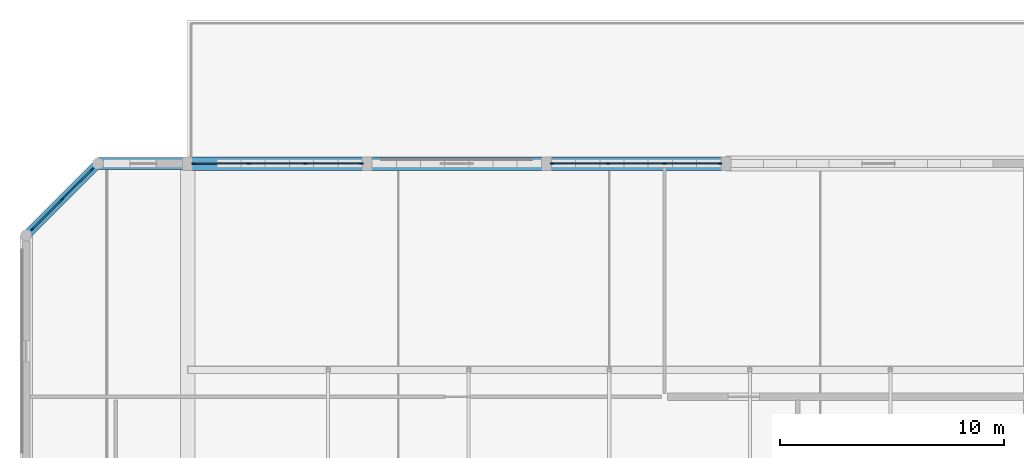
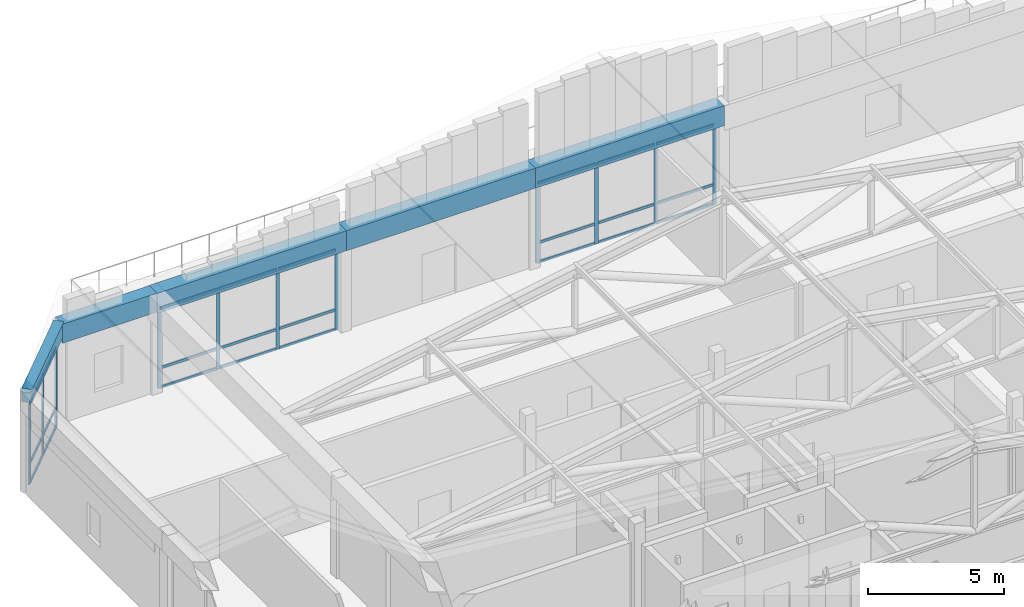
# One storey, part 16 of 24: 35 members, 5 beams, 3 elements without a shape of their own.
"""IFC4 building model written with IfcOpenShell, lengths in metres."""

from ifc_helpers import new_model, si_unit, direction, frame, origin, origin_2d, place, context, subcontext, project, spatial, rectangle, extrude, material, material_profile, profile_set, type_object, element, aggregate, save


model = new_model("IFC4")

# Units and contexts
model_context = context("Model", 3, precision=1e-05, world=origin(), true_north=direction((0.0, 1.0)))
body_context = subcontext(model_context, "Body", "Model", "MODEL_VIEW")
ifc_project = project(units=[si_unit("LENGTHUNIT", "METRE"), si_unit("AREAUNIT", "SQUARE_METRE"), si_unit("VOLUMEUNIT", "CUBIC_METRE"), si_unit("PLANEANGLEUNIT", "RADIAN"), si_unit("MASSUNIT", "GRAM", prefix="KILO")], contexts=[model_context])

# Site, building, storey
site_placement = place(None, origin())
site = spatial("IfcSite", under=ifc_project, at=site_placement, CompositionType="ELEMENT")
building_placement = place(site_placement, origin())
building = spatial("IfcBuilding", under=site, at=building_placement, Name="Vellmiral Cinema and Media Centre", CompositionType="ELEMENT")
storey_placement = place(building_placement, frame((0.0, 0.0, 66.60009765625)))
storey = spatial("IfcBuildingStorey", under=building, at=storey_placement, Name="L16", CompositionType="ELEMENT", Elevation=66.60009765625)

# Curtain wall, members
ifc_material_1 = material(Name="Thermally Broken Aluminium and Triple Glazing", Category="aluminium")
curtain_wall_type = type_object("IfcCurtainWallType", Name="CW-TOWER-HIGH", PredefinedType="USERDEFINED", material=ifc_material_1)
curtain_wall_1_placement = place(storey_placement, origin())
curtain_wall_1 = element("IfcCurtainWall", 1, at=curtain_wall_1_placement, inside=storey, type_object=curtain_wall_type, Name="Curtain Wall L16-B015", ObjectType="UNITISED CURTAIN WALL", PredefinedType="USERDEFINED")
ifc_material_2 = material(Name="Thermally Broken Anodised Aluminium", Category="aluminium")
ifc_material_profile_1 = material_profile(ifc_material_2, rectangle(XDim=0.06005859375, YDim=0.14990234375, at=origin_2d()), Name="MULL 60x150")
ifc_profile_set_1 = profile_set([ifc_material_profile_1], Name="Thermally Broken Anodised Aluminium")
member_type_1 = type_object("IfcMemberType", Name="CWM-60x150", PredefinedType="MULLION", material=ifc_profile_set_1)
member_1_placement = place(storey_placement, frame((147.7451171875, 108.800048828125, 0.0), z_axis=(0.0, 0.0, 1.0), x_axis=(0.0, -1.0, 0.0)))
member_1 = element("IfcMember", 2, at=member_1_placement, type_object=member_type_1, Name="CW-09 mullion 1", PredefinedType="MULLION", context=body_context, shape_type="SweptSolid", body=[
    extrude(rectangle(XDim=0.06005859375, YDim=0.14990234375, at=origin_2d()), origin(), (0.0, 0.0, 1.0), 3.58984375),
])
member_2_placement = place(storey_placement, frame((145.25830078125, 108.800048828125, 0.0), z_axis=(0.0, 0.0, 1.0), x_axis=(0.0, -1.0, 0.0)))
member_2 = element("IfcMember", 3, at=member_2_placement, type_object=member_type_1, Name="CW-09 mullion 2", PredefinedType="MULLION", context=body_context, shape_type="SweptSolid", body=[
    extrude(rectangle(XDim=0.06005859375, YDim=0.14990234375, at=origin_2d()), origin(), (0.0, 0.0, 1.0), 3.58984375),
])
member_3_placement = place(storey_placement, frame((142.74169921875, 108.800048828125, 0.0), z_axis=(0.0, 0.0, 1.0), x_axis=(0.0, -1.0, 0.0)))
member_3 = element("IfcMember", 4, at=member_3_placement, type_object=member_type_1, Name="CW-09 mullion 3", PredefinedType="MULLION", context=body_context, shape_type="SweptSolid", body=[
    extrude(rectangle(XDim=0.06005859375, YDim=0.14990234375, at=origin_2d()), origin(), (0.0, 0.0, 1.0), 3.58984375),
])
member_4_placement = place(storey_placement, frame((140.2548828125, 108.800048828125, 0.0), z_axis=(0.0, 0.0, 1.0), x_axis=(0.0, -1.0, 0.0)))
member_4 = element("IfcMember", 5, at=member_4_placement, type_object=member_type_1, Name="CW-09 mullion 4", PredefinedType="MULLION", context=body_context, shape_type="SweptSolid", body=[
    extrude(rectangle(XDim=0.06005859375, YDim=0.14990234375, at=origin_2d()), origin(), (0.0, 0.0, 1.0), 3.58984375),
])

curtain_wall_2_placement = place(storey_placement, origin())
curtain_wall_2 = element("IfcCurtainWall", 6, at=curtain_wall_2_placement, inside=storey, type_object=curtain_wall_type, Name="Curtain Wall L16-B017", ObjectType="UNITISED CURTAIN WALL", PredefinedType="USERDEFINED")
member_5_placement = place(storey_placement, frame((131.7451171875, 108.800048828125, 0.0), z_axis=(0.0, 0.0, 1.0), x_axis=(0.0, -1.0, 0.0)))
member_5 = element("IfcMember", 7, at=member_5_placement, type_object=member_type_1, Name="CW-09 mullion 1", PredefinedType="MULLION", context=body_context, shape_type="SweptSolid", body=[
    extrude(rectangle(XDim=0.06005859375, YDim=0.14990234375, at=origin_2d()), origin(), (0.0, 0.0, 1.0), 3.58984375),
])
member_6_placement = place(storey_placement, frame((129.25830078125, 108.800048828125, 0.0), z_axis=(0.0, 0.0, 1.0), x_axis=(0.0, -1.0, 0.0)))
member_6 = element("IfcMember", 8, at=member_6_placement, type_object=member_type_1, Name="CW-09 mullion 2", PredefinedType="MULLION", context=body_context, shape_type="SweptSolid", body=[
    extrude(rectangle(XDim=0.06005859375, YDim=0.14990234375, at=origin_2d()), origin(), (0.0, 0.0, 1.0), 3.58984375),
])
member_7_placement = place(storey_placement, frame((126.74169921875, 108.800048828125, 0.0), z_axis=(0.0, 0.0, 1.0), x_axis=(0.0, -1.0, 0.0)))
member_7 = element("IfcMember", 9, at=member_7_placement, type_object=member_type_1, Name="CW-09 mullion 3", PredefinedType="MULLION", context=body_context, shape_type="SweptSolid", body=[
    extrude(rectangle(XDim=0.06005859375, YDim=0.14990234375, at=origin_2d()), origin(), (0.0, 0.0, 1.0), 3.58984375),
])
member_8_placement = place(storey_placement, frame((124.2548828125, 108.800048828125, 0.0), z_axis=(0.0, 0.0, 1.0), x_axis=(0.0, -1.0, 0.0)))
member_8 = element("IfcMember", 10, at=member_8_placement, type_object=member_type_1, Name="CW-09 mullion 4", PredefinedType="MULLION", context=body_context, shape_type="SweptSolid", body=[
    extrude(rectangle(XDim=0.06005859375, YDim=0.14990234375, at=origin_2d()), origin(), (0.0, 0.0, 1.0), 3.58984375),
])

curtain_wall_3_placement = place(storey_placement, origin())
curtain_wall_3 = element("IfcCurtainWall", 11, at=curtain_wall_3_placement, inside=storey, type_object=curtain_wall_type, Name="Curtain Wall L16-B019", ObjectType="UNITISED CURTAIN WALL", PredefinedType="USERDEFINED")
member_9_placement = place(storey_placement, frame((119.728759765625, 108.52880859375, 0.0), z_axis=(0.0, 0.0, 1.0), x_axis=(0.707106781187, -0.707106781187, 0.0)))
member_9 = element("IfcMember", 12, at=member_9_placement, type_object=member_type_1, Name="CW-09 mullion 1", PredefinedType="MULLION", context=body_context, shape_type="SweptSolid", body=[
    extrude(rectangle(XDim=0.06005859375, YDim=0.14990234375, at=origin_2d()), origin(), (0.0, 0.0, 1.0), 3.619873046875),
])
member_10_placement = place(storey_placement, frame((118.39990234375, 107.199951171875, 0.0), z_axis=(0.0, 0.0, 1.0), x_axis=(0.707106781187, -0.707106781187, 0.0)))
member_10 = element("IfcMember", 13, at=member_10_placement, type_object=member_type_1, Name="CW-09 mullion 2", PredefinedType="MULLION", context=body_context, shape_type="SweptSolid", body=[
    extrude(rectangle(XDim=0.06005859375, YDim=0.14990234375, at=origin_2d()), origin(), (0.0, 0.0, 1.0), 3.619873046875),
])
member_11_placement = place(storey_placement, frame((117.0712890625, 105.87109375, 0.0), z_axis=(0.0, 0.0, 1.0), x_axis=(0.707106781187, -0.707106781187, 0.0)))
member_11 = element("IfcMember", 14, at=member_11_placement, type_object=member_type_1, Name="CW-09 mullion 3", PredefinedType="MULLION", context=body_context, shape_type="SweptSolid", body=[
    extrude(rectangle(XDim=0.06005859375, YDim=0.14990234375, at=origin_2d()), origin(), (0.0, 0.0, 1.0), 3.619873046875),
])

# Member
ifc_material_3 = material(Name="Thermally Broken Anodised Aluminium", Category="aluminium")
ifc_material_profile_2 = material_profile(ifc_material_3, rectangle(XDim=0.06005859375, YDim=0.1201171875, at=origin_2d()), Name="MULL 60x120")
ifc_profile_set_2 = profile_set([ifc_material_profile_2], Name="Thermally Broken Anodised Aluminium")
member_type_2 = type_object("IfcMemberType", Name="CWT-60x120", PredefinedType="USERDEFINED", material=ifc_profile_set_2)
member_12_placement = place(storey_placement, frame((147.715087890625, 108.800048828125, 0.02978515625), z_axis=(-1.0, 0.0, 0.0), x_axis=(0.0, -1.0, 0.0)))
member_12 = element("IfcMember", 15, at=member_12_placement, type_object=member_type_2, Name="CW-09 transom 1.1", ObjectType="TRANSOM", PredefinedType="USERDEFINED", context=body_context, shape_type="SweptSolid", body=[
    extrude(rectangle(XDim=0.06005859375, YDim=0.1201171875, at=origin_2d()), origin(), (0.0, 0.0, 1.0), 2.4267578125),
])

member_13_placement = place(storey_placement, frame((147.715087890625, 108.800048828125, 0.89990234375), z_axis=(-1.0, 0.0, 0.0), x_axis=(0.0, -1.0, 0.0)))
member_13 = element("IfcMember", 16, at=member_13_placement, type_object=member_type_2, Name="CW-09 transom 1.2", ObjectType="TRANSOM", PredefinedType="USERDEFINED", context=body_context, shape_type="SweptSolid", body=[
    extrude(rectangle(XDim=0.06005859375, YDim=0.1201171875, at=origin_2d()), origin(), (0.0, 0.0, 1.0), 2.4267578125),
])

member_14_placement = place(storey_placement, frame((147.715087890625, 108.800048828125, 3.559814453125), z_axis=(-1.0, 0.0, 0.0), x_axis=(0.0, -1.0, 0.0)))
member_14 = element("IfcMember", 17, at=member_14_placement, type_object=member_type_2, Name="CW-09 transom 1.3", ObjectType="TRANSOM", PredefinedType="USERDEFINED", context=body_context, shape_type="SweptSolid", body=[
    extrude(rectangle(XDim=0.06005859375, YDim=0.1201171875, at=origin_2d()), origin(), (0.0, 0.0, 1.0), 2.4267578125),
])

member_15_placement = place(storey_placement, frame((145.228271484375, 108.800048828125, 0.02978515625), z_axis=(-1.0, 0.0, 0.0), x_axis=(0.0, -1.0, 0.0)))
member_15 = element("IfcMember", 18, at=member_15_placement, type_object=member_type_2, Name="CW-09 transom 2.1", ObjectType="TRANSOM", PredefinedType="USERDEFINED", context=body_context, shape_type="SweptSolid", body=[
    extrude(rectangle(XDim=0.06005859375, YDim=0.1201171875, at=origin_2d()), origin(), (0.0, 0.0, 1.0), 2.45654296875),
])

member_16_placement = place(storey_placement, frame((145.228271484375, 108.800048828125, 0.89990234375), z_axis=(-1.0, 0.0, 0.0), x_axis=(0.0, -1.0, 0.0)))
member_16 = element("IfcMember", 19, at=member_16_placement, type_object=member_type_2, Name="CW-09 transom 2.2", ObjectType="TRANSOM", PredefinedType="USERDEFINED", context=body_context, shape_type="SweptSolid", body=[
    extrude(rectangle(XDim=0.06005859375, YDim=0.1201171875, at=origin_2d()), origin(), (0.0, 0.0, 1.0), 2.45654296875),
])

member_17_placement = place(storey_placement, frame((145.228271484375, 108.800048828125, 3.559814453125), z_axis=(-1.0, 0.0, 0.0), x_axis=(0.0, -1.0, 0.0)))
member_17 = element("IfcMember", 20, at=member_17_placement, type_object=member_type_2, Name="CW-09 transom 2.3", ObjectType="TRANSOM", PredefinedType="USERDEFINED", context=body_context, shape_type="SweptSolid", body=[
    extrude(rectangle(XDim=0.06005859375, YDim=0.1201171875, at=origin_2d()), origin(), (0.0, 0.0, 1.0), 2.45654296875),
])

member_18_placement = place(storey_placement, frame((142.711669921875, 108.800048828125, 0.02978515625), z_axis=(-1.0, 0.0, 0.0), x_axis=(0.0, -1.0, 0.0)))
member_18 = element("IfcMember", 21, at=member_18_placement, type_object=member_type_2, Name="CW-09 transom 3.1", ObjectType="TRANSOM", PredefinedType="USERDEFINED", context=body_context, shape_type="SweptSolid", body=[
    extrude(rectangle(XDim=0.06005859375, YDim=0.1201171875, at=origin_2d()), origin(), (0.0, 0.0, 1.0), 2.4267578125),
])

member_19_placement = place(storey_placement, frame((142.711669921875, 108.800048828125, 0.89990234375), z_axis=(-1.0, 0.0, 0.0), x_axis=(0.0, -1.0, 0.0)))
member_19 = element("IfcMember", 22, at=member_19_placement, type_object=member_type_2, Name="CW-09 transom 3.2", ObjectType="TRANSOM", PredefinedType="USERDEFINED", context=body_context, shape_type="SweptSolid", body=[
    extrude(rectangle(XDim=0.06005859375, YDim=0.1201171875, at=origin_2d()), origin(), (0.0, 0.0, 1.0), 2.4267578125),
])

member_20_placement = place(storey_placement, frame((142.711669921875, 108.800048828125, 3.559814453125), z_axis=(-1.0, 0.0, 0.0), x_axis=(0.0, -1.0, 0.0)))
member_20 = element("IfcMember", 23, at=member_20_placement, type_object=member_type_2, Name="CW-09 transom 3.3", ObjectType="TRANSOM", PredefinedType="USERDEFINED", context=body_context, shape_type="SweptSolid", body=[
    extrude(rectangle(XDim=0.06005859375, YDim=0.1201171875, at=origin_2d()), origin(), (0.0, 0.0, 1.0), 2.4267578125),
])

aggregate(curtain_wall_1, [member_1, member_2, member_3, member_4, member_12, member_13, member_14, member_15, member_16, member_17, member_18, member_19, member_20])

member_21_placement = place(storey_placement, frame((131.715087890625, 108.800048828125, 0.02978515625), z_axis=(-1.0, 0.0, 0.0), x_axis=(0.0, -1.0, 0.0)))
member_21 = element("IfcMember", 24, at=member_21_placement, type_object=member_type_2, Name="CW-09 transom 1.1", ObjectType="TRANSOM", PredefinedType="USERDEFINED", context=body_context, shape_type="SweptSolid", body=[
    extrude(rectangle(XDim=0.06005859375, YDim=0.1201171875, at=origin_2d()), origin(), (0.0, 0.0, 1.0), 2.4267578125),
])

member_22_placement = place(storey_placement, frame((131.715087890625, 108.800048828125, 0.89990234375), z_axis=(-1.0, 0.0, 0.0), x_axis=(0.0, -1.0, 0.0)))
member_22 = element("IfcMember", 25, at=member_22_placement, type_object=member_type_2, Name="CW-09 transom 1.2", ObjectType="TRANSOM", PredefinedType="USERDEFINED", context=body_context, shape_type="SweptSolid", body=[
    extrude(rectangle(XDim=0.06005859375, YDim=0.1201171875, at=origin_2d()), origin(), (0.0, 0.0, 1.0), 2.4267578125),
])

member_23_placement = place(storey_placement, frame((131.715087890625, 108.800048828125, 3.559814453125), z_axis=(-1.0, 0.0, 0.0), x_axis=(0.0, -1.0, 0.0)))
member_23 = element("IfcMember", 26, at=member_23_placement, type_object=member_type_2, Name="CW-09 transom 1.3", ObjectType="TRANSOM", PredefinedType="USERDEFINED", context=body_context, shape_type="SweptSolid", body=[
    extrude(rectangle(XDim=0.06005859375, YDim=0.1201171875, at=origin_2d()), origin(), (0.0, 0.0, 1.0), 2.4267578125),
])

member_24_placement = place(storey_placement, frame((129.228271484375, 108.800048828125, 0.02978515625), z_axis=(-1.0, 0.0, 0.0), x_axis=(0.0, -1.0, 0.0)))
member_24 = element("IfcMember", 27, at=member_24_placement, type_object=member_type_2, Name="CW-09 transom 2.1", ObjectType="TRANSOM", PredefinedType="USERDEFINED", context=body_context, shape_type="SweptSolid", body=[
    extrude(rectangle(XDim=0.06005859375, YDim=0.1201171875, at=origin_2d()), origin(), (0.0, 0.0, 1.0), 2.45654296875),
])

member_25_placement = place(storey_placement, frame((129.228271484375, 108.800048828125, 0.89990234375), z_axis=(-1.0, 0.0, 0.0), x_axis=(0.0, -1.0, 0.0)))
member_25 = element("IfcMember", 28, at=member_25_placement, type_object=member_type_2, Name="CW-09 transom 2.2", ObjectType="TRANSOM", PredefinedType="USERDEFINED", context=body_context, shape_type="SweptSolid", body=[
    extrude(rectangle(XDim=0.06005859375, YDim=0.1201171875, at=origin_2d()), origin(), (0.0, 0.0, 1.0), 2.45654296875),
])

member_26_placement = place(storey_placement, frame((129.228271484375, 108.800048828125, 3.559814453125), z_axis=(-1.0, 0.0, 0.0), x_axis=(0.0, -1.0, 0.0)))
member_26 = element("IfcMember", 29, at=member_26_placement, type_object=member_type_2, Name="CW-09 transom 2.3", ObjectType="TRANSOM", PredefinedType="USERDEFINED", context=body_context, shape_type="SweptSolid", body=[
    extrude(rectangle(XDim=0.06005859375, YDim=0.1201171875, at=origin_2d()), origin(), (0.0, 0.0, 1.0), 2.45654296875),
])

member_27_placement = place(storey_placement, frame((126.711669921875, 108.800048828125, 0.02978515625), z_axis=(-1.0, 0.0, 0.0), x_axis=(0.0, -1.0, 0.0)))
member_27 = element("IfcMember", 30, at=member_27_placement, type_object=member_type_2, Name="CW-09 transom 3.1", ObjectType="TRANSOM", PredefinedType="USERDEFINED", context=body_context, shape_type="SweptSolid", body=[
    extrude(rectangle(XDim=0.06005859375, YDim=0.1201171875, at=origin_2d()), origin(), (0.0, 0.0, 1.0), 2.4267578125),
])

member_28_placement = place(storey_placement, frame((126.711669921875, 108.800048828125, 0.89990234375), z_axis=(-1.0, 0.0, 0.0), x_axis=(0.0, -1.0, 0.0)))
member_28 = element("IfcMember", 31, at=member_28_placement, type_object=member_type_2, Name="CW-09 transom 3.2", ObjectType="TRANSOM", PredefinedType="USERDEFINED", context=body_context, shape_type="SweptSolid", body=[
    extrude(rectangle(XDim=0.06005859375, YDim=0.1201171875, at=origin_2d()), origin(), (0.0, 0.0, 1.0), 2.4267578125),
])

member_29_placement = place(storey_placement, frame((126.711669921875, 108.800048828125, 3.559814453125), z_axis=(-1.0, 0.0, 0.0), x_axis=(0.0, -1.0, 0.0)))
member_29 = element("IfcMember", 32, at=member_29_placement, type_object=member_type_2, Name="CW-09 transom 3.3", ObjectType="TRANSOM", PredefinedType="USERDEFINED", context=body_context, shape_type="SweptSolid", body=[
    extrude(rectangle(XDim=0.06005859375, YDim=0.1201171875, at=origin_2d()), origin(), (0.0, 0.0, 1.0), 2.4267578125),
])

aggregate(curtain_wall_2, [member_5, member_6, member_7, member_8, member_21, member_22, member_23, member_24, member_25, member_26, member_27, member_28, member_29])

member_30_placement = place(storey_placement, frame((119.70751953125, 108.507568359375, 0.02978515625), z_axis=(-0.707106781187, -0.707106781187, 0.0), x_axis=(0.707106781187, -0.707106781187, 0.0)))
member_30 = element("IfcMember", 33, at=member_30_placement, type_object=member_type_2, Name="CW-09 transom 1.1", ObjectType="TRANSOM", PredefinedType="USERDEFINED", context=body_context, shape_type="SweptSolid", body=[
    extrude(rectangle(XDim=0.06005859375, YDim=0.1201171875, at=origin_2d()), origin(), (0.0, 0.0, 1.0), 1.819091796875),
])

member_31_placement = place(storey_placement, frame((119.70751953125, 108.507568359375, 0.89990234375), z_axis=(-0.707106781187, -0.707106781187, 0.0), x_axis=(0.707106781187, -0.707106781187, 0.0)))
member_31 = element("IfcMember", 34, at=member_31_placement, type_object=member_type_2, Name="CW-09 transom 1.2", ObjectType="TRANSOM", PredefinedType="USERDEFINED", context=body_context, shape_type="SweptSolid", body=[
    extrude(rectangle(XDim=0.06005859375, YDim=0.1201171875, at=origin_2d()), origin(), (0.0, 0.0, 1.0), 1.819091796875),
])

member_32_placement = place(storey_placement, frame((119.70751953125, 108.507568359375, 3.58984375), z_axis=(-0.707106781187, -0.707106781187, 0.0), x_axis=(0.707106781187, -0.707106781187, 0.0)))
member_32 = element("IfcMember", 35, at=member_32_placement, type_object=member_type_2, Name="CW-09 transom 1.3", ObjectType="TRANSOM", PredefinedType="USERDEFINED", context=body_context, shape_type="SweptSolid", body=[
    extrude(rectangle(XDim=0.06005859375, YDim=0.1201171875, at=origin_2d()), origin(), (0.0, 0.0, 1.0), 1.819091796875),
])

member_33_placement = place(storey_placement, frame((118.37890625, 107.1787109375, 0.02978515625), z_axis=(-0.707106781187, -0.707106781187, 0.0), x_axis=(0.707106781187, -0.707106781187, 0.0)))
member_33 = element("IfcMember", 36, at=member_33_placement, type_object=member_type_2, Name="CW-09 transom 2.1", ObjectType="TRANSOM", PredefinedType="USERDEFINED", context=body_context, shape_type="SweptSolid", body=[
    extrude(rectangle(XDim=0.06005859375, YDim=0.1201171875, at=origin_2d()), origin(), (0.0, 0.0, 1.0), 1.819091796875),
])

member_34_placement = place(storey_placement, frame((118.37890625, 107.1787109375, 0.89990234375), z_axis=(-0.707106781187, -0.707106781187, 0.0), x_axis=(0.707106781187, -0.707106781187, 0.0)))
member_34 = element("IfcMember", 37, at=member_34_placement, type_object=member_type_2, Name="CW-09 transom 2.2", ObjectType="TRANSOM", PredefinedType="USERDEFINED", context=body_context, shape_type="SweptSolid", body=[
    extrude(rectangle(XDim=0.06005859375, YDim=0.1201171875, at=origin_2d()), origin(), (0.0, 0.0, 1.0), 1.819091796875),
])

member_35_placement = place(storey_placement, frame((118.37890625, 107.1787109375, 3.58984375), z_axis=(-0.707106781187, -0.707106781187, 0.0), x_axis=(0.707106781187, -0.707106781187, 0.0)))
member_35 = element("IfcMember", 38, at=member_35_placement, type_object=member_type_2, Name="CW-09 transom 2.3", ObjectType="TRANSOM", PredefinedType="USERDEFINED", context=body_context, shape_type="SweptSolid", body=[
    extrude(rectangle(XDim=0.06005859375, YDim=0.1201171875, at=origin_2d()), origin(), (0.0, 0.0, 1.0), 1.819091796875),
])

aggregate(curtain_wall_3, [member_9, member_10, member_11, member_30, member_31, member_32, member_33, member_34, member_35])

# Beams
ifc_material_4 = material(Name="Concrete C40/50", Category="concrete")
ifc_material_profile_3 = material_profile(ifc_material_4, rectangle(XDim=0.550048828125, YDim=0.85009765625, at=origin_2d()), Name="RC 550x850")
ifc_profile_set_3 = profile_set([ifc_material_profile_3], Name="Concrete C40/50")
beam_type_1 = type_object("IfcBeamType", Name="RING-BM-550x850", PredefinedType="BEAM", material=ifc_profile_set_3)
beam_1_placement = place(storey_placement, frame((120.0, 108.800048828125, 4.074951171875), z_axis=(1.0, 0.0, 0.0), x_axis=(0.0, 1.0, 0.0)))
element("IfcBeam", 39, at=beam_1_placement, inside=storey, type_object=beam_type_1, Name="Tower Crown West Gallery Vault Ring Beam 02", PredefinedType="BEAM", context=body_context, shape_type="SweptSolid", body=[
    extrude(rectangle(XDim=0.550048828125, YDim=0.85009765625, at=origin_2d()), origin(), (0.0, 0.0, 1.0), 4.0),
])
ifc_material_5 = material(Name="Concrete C40/50", Category="concrete")
ifc_material_profile_4 = material_profile(ifc_material_5, rectangle(XDim=0.60009765625, YDim=0.89990234375, at=origin_2d()), Name="RC 600x900")
ifc_profile_set_4 = profile_set([ifc_material_profile_4], Name="Concrete C40/50")
beam_type_2 = type_object("IfcBeamType", Name="RING-BM-600x900", PredefinedType="BEAM", material=ifc_profile_set_4)
for number, where, z_axis, x_axis, name in (
    (40, (124.0, 108.800048828125, 4.0498046875), (1.0, 0.0, 0.0), (0.0, 1.0, 0.0), "Tower Crown Catalan Barrel Vault Ring Beam 05"),
    (41, (132.0, 108.800048828125, 4.0498046875), (1.0, 0.0, 0.0), (0.0, 1.0, 0.0), "Tower Crown Catalan Barrel Vault Ring Beam 06"),
    (42, (140.0, 108.800048828125, 4.0498046875), (1.0, 0.0, 0.0), (0.0, 1.0, 0.0), "Tower Crown Catalan Barrel Vault Ring Beam 07"),
):
    element("IfcBeam", number, at=place(storey_placement, frame(where, z_axis=z_axis, x_axis=x_axis)), inside=storey, type_object=beam_type_2, Name=name, PredefinedType="BEAM", context=body_context, shape_type="SweptSolid", body=[
        extrude(rectangle(XDim=0.60009765625, YDim=0.89990234375, at=origin_2d()), origin(), (0.0, 0.0, 1.0), 8.0),
    ])
ifc_material_6 = material(Name="Concrete C40/50", Category="concrete")
ifc_material_profile_5 = material_profile(ifc_material_6, rectangle(XDim=0.39990234375, YDim=0.60009765625, at=origin_2d()), Name="RC 400x600")
ifc_profile_set_5 = profile_set([ifc_material_profile_5], Name="Concrete C40/50")
beam_type_3 = type_object("IfcBeamType", Name="SPD-RC-400x600", PredefinedType="SPANDREL", material=ifc_profile_set_5)
beam_2_placement = place(storey_placement, frame((116.800048828125, 105.60009765625, 4.199951171875), z_axis=(0.707106781187, 0.707106781187, 0.0), x_axis=(-0.707106781187, 0.707106781187, 0.0)))
element("IfcBeam", 43, at=beam_2_placement, inside=storey, type_object=beam_type_3, Name="Xamfra Chamfer Spandrel Beam L16-001", PredefinedType="SPANDREL", context=body_context, shape_type="SweptSolid", body=[
    extrude(rectangle(XDim=0.39990234375, YDim=0.60009765625, at=origin_2d()), origin(), (0.0, 0.0, 1.0), 4.525390625),
])

save(model, "model.ifc")
